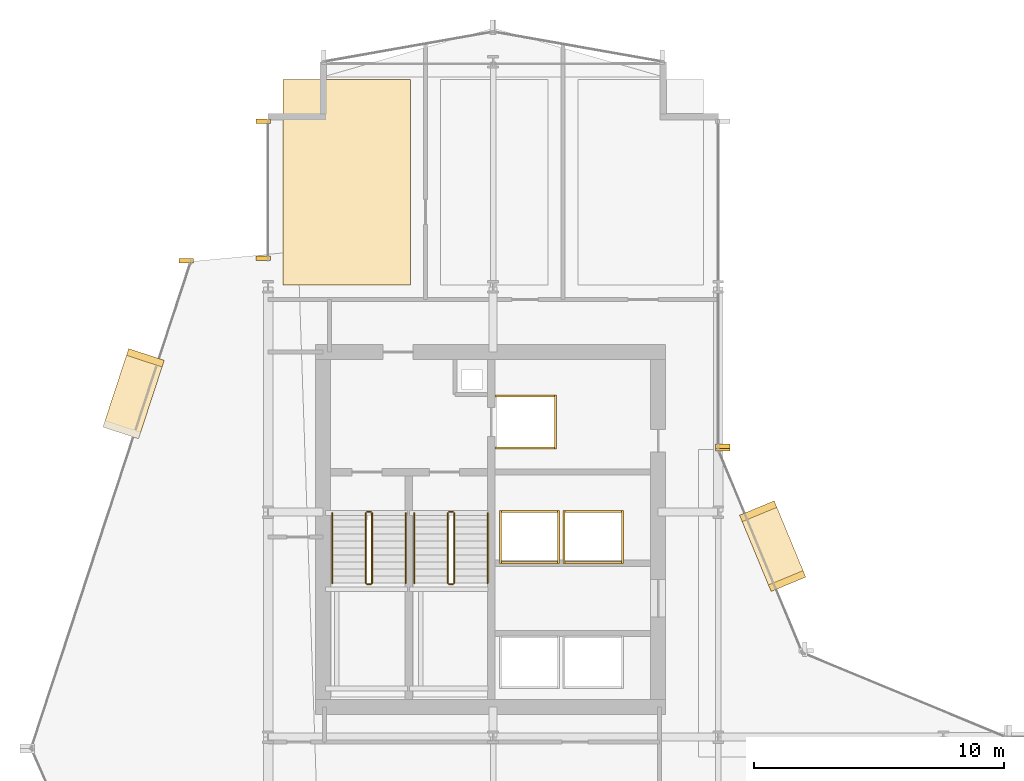
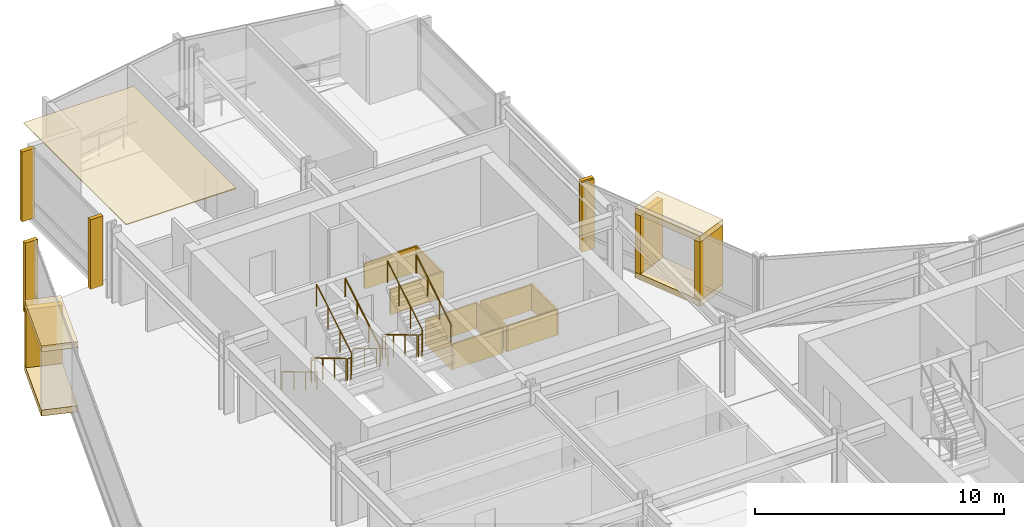
# One storey, part 33 of 34: 24 coverings, 12 railings.
"""IFC4 building model written with IfcOpenShell, lengths in metres."""

from ifc_helpers import new_model, si_unit, direction, frame, origin, origin_2d, place, context, subcontext, project, spatial, polyline, rectangle, circle, outline, extrude, material, layer, layer_set, type_object, element, save


model = new_model("IFC4")

# Units and contexts
model_context = context("Model", 3, precision=1e-05, world=origin(), true_north=direction((0.0, 1.0)))
body_context = subcontext(model_context, "Body", "Model", "MODEL_VIEW")
ifc_project = project(units=[si_unit("LENGTHUNIT", "METRE"), si_unit("AREAUNIT", "SQUARE_METRE"), si_unit("VOLUMEUNIT", "CUBIC_METRE"), si_unit("PLANEANGLEUNIT", "RADIAN"), si_unit("MASSUNIT", "GRAM", prefix="KILO")], contexts=[model_context])

# Site, building, storey
site_placement = place(None, origin())
site = spatial("IfcSite", under=ifc_project, at=site_placement, CompositionType="ELEMENT")
building_placement = place(site_placement, origin())
building = spatial("IfcBuilding", under=site, at=building_placement, Name="Solvaryn Broadcast Tower", CompositionType="ELEMENT")
storey_placement = place(building_placement, frame((0.0, 0.0, 39.699951171875)))
storey = spatial("IfcBuildingStorey", under=building, at=storey_placement, Name="L08", CompositionType="ELEMENT", Elevation=39.699951171875)

# Coverings
ifc_material_1 = material(Name="Micro-Perforated Acoustic Gypsum Ceiling", Category="concrete")
ifc_layer_1 = layer(ifc_material_1, 0.0400390625)
ifc_layer_set_1 = layer_set([ifc_layer_1], Name="CV-CEIL-ACOUSTIC")
covering_type_1 = type_object("IfcCoveringType", Name="CV-CEIL-ACOUSTIC", PredefinedType="CEILING", material=ifc_layer_set_1)
covering_1_placement = place(storey_placement, frame((0.0, 0.0, 3.380126953125)))
element("IfcCovering", 1, at=covering_1_placement, inside=storey, type_object=covering_type_1, Name="L08 Room Acoustic Ceiling 8", PredefinedType="CEILING", context=body_context, shape_type="SweptSolid", body=[
    extrude(outline(polyline([(9.60009765625, 45.070068359375), (14.699951171875, 45.070068359375), (14.699951171875, 53.300048828125), (9.60009765625, 53.300048828125), (9.60009765625, 45.070068359375)])), origin(), (0.0, 0.0, 1.0), 0.0400390625),
])
ifc_material_2 = material(Name="Fire-Rated Gypsum Shaftwall Liner", Category="concrete")
ifc_layer_2 = layer(ifc_material_2, 0.080078125)
ifc_layer_set_2 = layer_set([ifc_layer_2], Name="CV-SHAFT-LINER")
covering_type_2 = type_object("IfcCoveringType", Name="CV-SHAFT-LINER", PredefinedType="CLADDING", material=ifc_layer_set_2)
for number, where, z_axis, x_axis, name in (
    (2, (19.300048828125, 40.639892578125, 0.0), (0.0, 0.0, 1.0), (1.0, 0.0, 0.0), "L08 FL1 Hoistway Shaft Liner North"),
    (3, (19.300048828125, 38.56005859375, 0.0), (0.0, 0.0, 1.0), (1.0, 0.0, 0.0), "L08 FL1 Hoistway Shaft Liner South"),
):
    element("IfcCovering", number, at=place(storey_placement, frame(where, z_axis=z_axis, x_axis=x_axis)), inside=storey, type_object=covering_type_2, Name=name, PredefinedType="CLADDING", context=body_context, shape_type="SweptSolid", body=[
        extrude(rectangle(XDim=2.4599609375, YDim=0.080078125, at=origin_2d()), origin(), (0.0, 0.0, 1.0), 1.25),
    ])
covering_2_placement = place(storey_placement, frame((20.489990234375, 39.60009765625, 0.0), z_axis=(0.0, 0.0, 1.0), x_axis=(1.0, 0.0, 0.0)))
element("IfcCovering", 4, at=covering_2_placement, inside=storey, type_object=covering_type_2, Name="L08 FL1 Hoistway Shaft Liner East", PredefinedType="CLADDING", context=body_context, shape_type="SweptSolid", body=[
    extrude(rectangle(XDim=0.080078125, YDim=2.159912109375, at=origin_2d()), origin(), (0.0, 0.0, 1.0), 1.25),
])
for number, where, z_axis, x_axis, name in (
    (5, (19.449951171875, 36.014892578125, 0.0), (0.0, 0.0, 1.0), (1.0, 0.0, 0.0), "L08 PH3 Hoistway Shaft Liner North"),
    (6, (19.449951171875, 33.985107421875, 0.0), (0.0, 0.0, 1.0), (1.0, 0.0, 0.0), "L08 PH3 Hoistway Shaft Liner South"),
):
    element("IfcCovering", number, at=place(storey_placement, frame(where, z_axis=z_axis, x_axis=x_axis)), inside=storey, type_object=covering_type_2, Name=name, PredefinedType="CLADDING", context=body_context, shape_type="SweptSolid", body=[
        extrude(rectangle(XDim=2.409912109375, YDim=0.080078125, at=origin_2d()), origin(), (0.0, 0.0, 1.0), 1.25),
    ])
for number, where, z_axis, x_axis, name in (
    (7, (20.614990234375, 35.0, 0.0), (0.0, 0.0, 1.0), (1.0, 0.0, 0.0), "L08 PH3 Hoistway Shaft Liner East"),
    (8, (18.284912109375, 35.0, 0.0), (0.0, 0.0, 1.0), (1.0, 0.0, 0.0), "L08 PH3 Hoistway Shaft Liner West"),
):
    element("IfcCovering", number, at=place(storey_placement, frame(where, z_axis=z_axis, x_axis=x_axis)), inside=storey, type_object=covering_type_2, Name=name, PredefinedType="CLADDING", context=body_context, shape_type="SweptSolid", body=[
        extrude(rectangle(XDim=0.080078125, YDim=2.110107421875, at=origin_2d()), origin(), (0.0, 0.0, 1.0), 1.25),
    ])
for number, where, z_axis, x_axis, name in (
    (9, (22.0, 36.014892578125, 0.0), (0.0, 0.0, 1.0), (1.0, 0.0, 0.0), "L08 PH4 Hoistway Shaft Liner North"),
    (10, (22.0, 33.985107421875, 0.0), (0.0, 0.0, 1.0), (1.0, 0.0, 0.0), "L08 PH4 Hoistway Shaft Liner South"),
):
    element("IfcCovering", number, at=place(storey_placement, frame(where, z_axis=z_axis, x_axis=x_axis)), inside=storey, type_object=covering_type_2, Name=name, PredefinedType="CLADDING", context=body_context, shape_type="SweptSolid", body=[
        extrude(rectangle(XDim=2.409912109375, YDim=0.080078125, at=origin_2d()), origin(), (0.0, 0.0, 1.0), 1.25),
    ])
for number, where, z_axis, x_axis, name in (
    (11, (23.1650390625, 35.0, 0.0), (0.0, 0.0, 1.0), (1.0, 0.0, 0.0), "L08 PH4 Hoistway Shaft Liner East"),
    (12, (20.8349609375, 35.0, 0.0), (0.0, 0.0, 1.0), (1.0, 0.0, 0.0), "L08 PH4 Hoistway Shaft Liner West"),
):
    element("IfcCovering", number, at=place(storey_placement, frame(where, z_axis=z_axis, x_axis=x_axis)), inside=storey, type_object=covering_type_2, Name=name, PredefinedType="CLADDING", context=body_context, shape_type="SweptSolid", body=[
        extrude(rectangle(XDim=0.080078125, YDim=2.110107421875, at=origin_2d()), origin(), (0.0, 0.0, 1.0), 1.25),
    ])
ifc_material_3 = material(Name="Glazed Architectural Terracotta Rainscreen Cladding", Category="masonry")
ifc_layer_3 = layer(ifc_material_3, 0.280029296875)
ifc_layer_set_3 = layer_set([ifc_layer_3], Name="CV-TC-CLAD")
covering_type_3 = type_object("IfcCoveringType", Name="CV-TC-CLAD", PredefinedType="CLADDING", material=ifc_layer_set_3)
for number, where, z_axis, x_axis, name in (
    (13, (3.6259765625, 40.73291015625, 3.1298828125), (0.0, 0.0, 1.0), (-0.311671636848, -0.950189870912, 0.0), "L08 Projecting Stone Window Box Hood 1"),
    (14, (3.6259765625, 40.73291015625, -0.009765625), (0.0, 0.0, 1.0), (-0.311671636848, -0.950189870912, 0.0), "L08 Projecting Stone Window Box Sill 1"),
):
    element("IfcCovering", number, at=place(storey_placement, frame(where, z_axis=z_axis, x_axis=x_axis)), inside=storey, type_object=covering_type_3, Name=name, PredefinedType="CLADDING", context=body_context, shape_type="SweptSolid", body=[
        extrude(rectangle(XDim=3.300048828125, YDim=1.5, at=origin_2d()), origin(), (0.0, 0.0, 1.0), 0.300048828125),
    ])
covering_3_placement = place(storey_placement, frame((4.0966796875, 42.167724609375, 0.27978515625), z_axis=(0.0, 0.0, 1.0), x_axis=(-0.311671636848, -0.950189870912, 0.0)))
element("IfcCovering", 15, at=covering_3_placement, inside=storey, type_object=covering_type_3, Name="L08 Projecting Stone Window Box Cheek 1-1", PredefinedType="CLADDING", context=body_context, shape_type="SweptSolid", body=[
    extrude(rectangle(XDim=0.280029296875, YDim=1.5, at=origin_2d()), origin(), (0.0, 0.0, 1.0), 2.860107421875),
])
for number, where, z_axis, x_axis, name in (
    (16, (29.174072265625, 34.636962890625, 3.1298828125), (0.0, 0.0, 1.0), (-0.382683432365, 0.923879532511, 0.0), "L08 Projecting Stone Window Box Hood 5"),
    (17, (29.174072265625, 34.636962890625, -0.009765625), (0.0, 0.0, 1.0), (-0.382683432365, 0.923879532511, 0.0), "L08 Projecting Stone Window Box Sill 5"),
):
    element("IfcCovering", number, at=place(storey_placement, frame(where, z_axis=z_axis, x_axis=x_axis)), inside=storey, type_object=covering_type_3, Name=name, PredefinedType="CLADDING", context=body_context, shape_type="SweptSolid", body=[
        extrude(rectangle(XDim=3.300048828125, YDim=1.5, at=origin_2d()), origin(), (0.0, 0.0, 1.0), 0.300048828125),
    ])
for number, where, z_axis, x_axis, name in (
    (18, (29.751953125, 33.241943359375, 0.27978515625), (0.0, 0.0, 1.0), (-0.382683432365, 0.923879532511, 0.0), "L08 Projecting Stone Window Box Cheek 5-1"),
    (19, (28.59619140625, 36.031982421875, 0.27978515625), (0.0, 0.0, 1.0), (-0.382683432365, 0.923879532511, 0.0), "L08 Projecting Stone Window Box Cheek 5-2"),
):
    element("IfcCovering", number, at=place(storey_placement, frame(where, z_axis=z_axis, x_axis=x_axis)), inside=storey, type_object=covering_type_3, Name=name, PredefinedType="CLADDING", context=body_context, shape_type="SweptSolid", body=[
        extrude(rectangle(XDim=0.280029296875, YDim=1.5, at=origin_2d()), origin(), (0.0, 0.0, 1.0), 2.860107421875),
    ])
ifc_material_4 = material(Name="Extruded Architectural Terracotta Fin", Category="masonry")
ifc_layer_4 = layer(ifc_material_4, 0.179931640625)
ifc_layer_set_4 = layer_set([ifc_layer_4], Name="CV-TC-FIN")
covering_type_4 = type_object("IfcCoveringType", Name="CV-TC-FIN", PredefinedType="USERDEFINED", material=ifc_layer_set_4)
for number, where, z_axis, x_axis, name in (
    (20, (5.735595703125, 46.043701171875, 0.0), (0.0, 0.0, 1.0), (1.0, 0.0, 0.0), "L08 Terracotta Vertical Fin FIN-L08-DR1-M00"),
    (21, (8.8125, 46.14599609375, 0.0), (0.0, 0.0, 1.0), (1.0, 0.0, 0.0), "L08 Terracotta Vertical Fin FIN-L08-W2-M00"),
    (22, (8.8125, 51.6201171875, 0.0), (0.0, 0.0, 1.0), (1.0, 0.0, 0.0), "L08 Terracotta Vertical Fin FIN-L08-W2-M01"),
    (23, (27.1875, 38.6298828125, 0.0), (0.0, 0.0, 1.0), (1.0, 0.0, 0.0), "L08 Terracotta Vertical Fin FIN-L08-IV-M01"),
    (24, (27.177978515625, 38.541259765625, 0.0), (0.0, 0.0, 1.0), (1.0, 0.0, 0.0), "L08 Terracotta Vertical Fin FIN-L08-CN2-M01"),
):
    element("IfcCovering", number, at=place(storey_placement, frame(where, z_axis=z_axis, x_axis=x_axis)), inside=storey, type_object=covering_type_4, Name=name, ObjectType="FIN", PredefinedType="USERDEFINED", context=body_context, shape_type="SweptSolid", body=[
        extrude(rectangle(XDim=0.580078125, YDim=0.179931640625, at=origin_2d()), origin(), (0.0, 0.0, 1.0), 3.419921875),
    ])

# Railings
ifc_material_5 = material(Name="Painted Steel Stair Well Guard", Category="steel")
railing_type_1 = type_object("IfcRailingType", Name="RL-STAIR-GUARD", PredefinedType="BALUSTRADE", material=ifc_material_5)
railing_1_placement = place(storey_placement, frame((12.909912109375, 35.9599609375, 0.168212890625)))
element("IfcRailing", 25, at=railing_1_placement, inside=storey, type_object=railing_type_1, Name="L08 ST1 stair guard 1", PredefinedType="BALUSTRADE", context=body_context, shape_type="SweptSolid", body=[
    extrude(circle(Radius=0.02392578125, at=origin_2d()), frame((0.0, 0.0, 1.076171875), z_axis=(0.0, -0.857242210791, 0.514913383045), x_axis=(1.0, 0.0, 0.0)), (0.0, 0.0, 1.0), 3.266357421875),
    extrude(circle(Radius=0.02099609375, at=origin_2d()), origin(), (0.0, 0.0, 1.0), 1.052001953125),
    extrude(circle(Radius=0.02099609375, at=origin_2d()), frame((0.0, -0.933349609375, 0.560546875)), (0.0, 0.0, 1.0), 1.052001953125),
    extrude(circle(Radius=0.02099609375, at=origin_2d()), frame((0.0, -1.86669921875, 1.121337890625)), (0.0, 0.0, 1.0), 1.052001953125),
    extrude(circle(Radius=0.02099609375, at=origin_2d()), frame((0.0, -2.800048828125, 1.681884765625)), (0.0, 0.0, 1.0), 1.052001953125),
])
railing_2_placement = place(storey_placement, frame((12.9599609375, 33.110107421875, 1.85009765625)))
element("IfcRailing", 26, at=railing_2_placement, inside=storey, type_object=railing_type_1, Name="L08 ST1 stair guard 2", PredefinedType="BALUSTRADE", context=body_context, shape_type="SweptSolid", body=[
    extrude(circle(Radius=0.02392578125, at=origin_2d()), frame((0.0, 0.0, 1.076171875), z_axis=(1.0, 0.0, 0.0), x_axis=(0.0, 1.0, 0.0)), (0.0, 0.0, 1.0), 0.150146484375),
    extrude(circle(Radius=0.02099609375, at=origin_2d()), origin(), (0.0, 0.0, 1.0), 1.052001953125),
    extrude(circle(Radius=0.02099609375, at=origin_2d()), frame((0.150146484375, 0.0, 0.0)), (0.0, 0.0, 1.0), 1.052001953125),
])
railing_3_placement = place(storey_placement, frame((13.159912109375, 33.159912109375, 2.018310546875)))
element("IfcRailing", 27, at=railing_3_placement, inside=storey, type_object=railing_type_1, Name="L08 ST1 stair guard 3", PredefinedType="BALUSTRADE", context=body_context, shape_type="SweptSolid", body=[
    extrude(circle(Radius=0.02392578125, at=origin_2d()), frame((0.0, 0.0, 1.076171875), z_axis=(0.0, 0.857275202839, 0.514858452973), x_axis=(-1.0, 0.0, 0.0)), (0.0, 0.0, 1.0), 3.26611328125),
    extrude(circle(Radius=0.02099609375, at=origin_2d()), origin(), (0.0, 0.0, 1.0), 1.052001953125),
    extrude(circle(Radius=0.02099609375, at=origin_2d()), frame((0.0, 0.933349609375, 0.560546875)), (0.0, 0.0, 1.0), 1.052001953125),
    extrude(circle(Radius=0.02099609375, at=origin_2d()), frame((0.0, 1.86669921875, 1.12109375)), (0.0, 0.0, 1.0), 1.052001953125),
    extrude(circle(Radius=0.02099609375, at=origin_2d()), frame((0.0, 2.800048828125, 1.681640625)), (0.0, 0.0, 1.0), 1.052001953125),
])
railing_4_placement = place(storey_placement, frame((12.9599609375, 36.010009765625, 0.0)))
element("IfcRailing", 28, at=railing_4_placement, inside=storey, type_object=railing_type_1, Name="L08 ST1 stair guard 4", PredefinedType="BALUSTRADE", context=body_context, shape_type="SweptSolid", body=[
    extrude(circle(Radius=0.02392578125, at=origin_2d()), frame((0.0, 0.0, 1.076171875), z_axis=(1.0, 0.0, 0.0), x_axis=(0.0, 1.0, 0.0)), (0.0, 0.0, 1.0), 0.150146484375),
    extrude(circle(Radius=0.02099609375, at=origin_2d()), origin(), (0.0, 0.0, 1.0), 1.052001953125),
    extrude(circle(Radius=0.02099609375, at=origin_2d()), frame((0.150146484375, 0.0, 0.0)), (0.0, 0.0, 1.0), 1.052001953125),
])
railing_5_placement = place(storey_placement, frame((16.18994140625, 35.9599609375, 0.168212890625)))
element("IfcRailing", 29, at=railing_5_placement, inside=storey, type_object=railing_type_1, Name="L08 ST2 stair guard 1", PredefinedType="BALUSTRADE", context=body_context, shape_type="SweptSolid", body=[
    extrude(circle(Radius=0.02392578125, at=origin_2d()), frame((0.0, 0.0, 1.076171875), z_axis=(0.0, -0.857242210791, 0.514913383045), x_axis=(1.0, 0.0, 0.0)), (0.0, 0.0, 1.0), 3.266357421875),
    extrude(circle(Radius=0.02099609375, at=origin_2d()), origin(), (0.0, 0.0, 1.0), 1.052001953125),
    extrude(circle(Radius=0.02099609375, at=origin_2d()), frame((0.0, -0.933349609375, 0.560546875)), (0.0, 0.0, 1.0), 1.052001953125),
    extrude(circle(Radius=0.02099609375, at=origin_2d()), frame((0.0, -1.86669921875, 1.121337890625)), (0.0, 0.0, 1.0), 1.052001953125),
    extrude(circle(Radius=0.02099609375, at=origin_2d()), frame((0.0, -2.800048828125, 1.681884765625)), (0.0, 0.0, 1.0), 1.052001953125),
])
railing_6_placement = place(storey_placement, frame((16.239990234375, 33.110107421875, 1.85009765625)))
element("IfcRailing", 30, at=railing_6_placement, inside=storey, type_object=railing_type_1, Name="L08 ST2 stair guard 2", PredefinedType="BALUSTRADE", context=body_context, shape_type="SweptSolid", body=[
    extrude(circle(Radius=0.02392578125, at=origin_2d()), frame((0.0, 0.0, 1.076171875), z_axis=(1.0, 0.0, 0.0), x_axis=(0.0, 1.0, 0.0)), (0.0, 0.0, 1.0), 0.14990234375),
    extrude(circle(Radius=0.02099609375, at=origin_2d()), origin(), (0.0, 0.0, 1.0), 1.052001953125),
    extrude(circle(Radius=0.02099609375, at=origin_2d()), frame((0.14990234375, 0.0, 0.0)), (0.0, 0.0, 1.0), 1.052001953125),
])
railing_7_placement = place(storey_placement, frame((16.43994140625, 33.159912109375, 2.018310546875)))
element("IfcRailing", 31, at=railing_7_placement, inside=storey, type_object=railing_type_1, Name="L08 ST2 stair guard 3", PredefinedType="BALUSTRADE", context=body_context, shape_type="SweptSolid", body=[
    extrude(circle(Radius=0.02392578125, at=origin_2d()), frame((0.0, 0.0, 1.076171875), z_axis=(0.0, 0.857275202839, 0.514858452973), x_axis=(-1.0, 0.0, 0.0)), (0.0, 0.0, 1.0), 3.26611328125),
    extrude(circle(Radius=0.02099609375, at=origin_2d()), origin(), (0.0, 0.0, 1.0), 1.052001953125),
    extrude(circle(Radius=0.02099609375, at=origin_2d()), frame((0.0, 0.933349609375, 0.560546875)), (0.0, 0.0, 1.0), 1.052001953125),
    extrude(circle(Radius=0.02099609375, at=origin_2d()), frame((0.0, 1.86669921875, 1.12109375)), (0.0, 0.0, 1.0), 1.052001953125),
    extrude(circle(Radius=0.02099609375, at=origin_2d()), frame((0.0, 2.800048828125, 1.681640625)), (0.0, 0.0, 1.0), 1.052001953125),
])
railing_8_placement = place(storey_placement, frame((16.239990234375, 36.010009765625, 0.0)))
element("IfcRailing", 32, at=railing_8_placement, inside=storey, type_object=railing_type_1, Name="L08 ST2 stair guard 4", PredefinedType="BALUSTRADE", context=body_context, shape_type="SweptSolid", body=[
    extrude(circle(Radius=0.02392578125, at=origin_2d()), frame((0.0, 0.0, 1.076171875), z_axis=(1.0, 0.0, 0.0), x_axis=(0.0, 1.0, 0.0)), (0.0, 0.0, 1.0), 0.14990234375),
    extrude(circle(Radius=0.02099609375, at=origin_2d()), origin(), (0.0, 0.0, 1.0), 1.052001953125),
    extrude(circle(Radius=0.02099609375, at=origin_2d()), frame((0.14990234375, 0.0, 0.0)), (0.0, 0.0, 1.0), 1.052001953125),
])
ifc_material_6 = material(Name="Brushed Stainless Steel Tubular Handrail", Category="steel")
railing_type_2 = type_object("IfcRailingType", Name="RL-STAIR-HANDRAIL", PredefinedType="HANDRAIL", material=ifc_material_6)
railing_9_placement = place(storey_placement, frame((11.570068359375, 35.9599609375, 0.168212890625)))
element("IfcRailing", 33, at=railing_9_placement, inside=storey, type_object=railing_type_2, Name="L08 ST1 stair handrail 1", PredefinedType="HANDRAIL", context=body_context, shape_type="SweptSolid", body=[
    extrude(circle(Radius=0.02392578125, at=origin_2d()), frame((0.0, 0.0, 0.8759765625), z_axis=(0.0, -0.857242210791, 0.514913383045), x_axis=(1.0, 0.0, 0.0)), (0.0, 0.0, 1.0), 3.266357421875),
    extrude(circle(Radius=0.02099609375, at=origin_2d()), origin(), (0.0, 0.0, 1.0), 0.851806640625),
    extrude(circle(Radius=0.02099609375, at=origin_2d()), frame((0.0, -0.933349609375, 0.560546875)), (0.0, 0.0, 1.0), 0.851806640625),
    extrude(circle(Radius=0.02099609375, at=origin_2d()), frame((0.0, -1.86669921875, 1.121337890625)), (0.0, 0.0, 1.0), 0.851806640625),
    extrude(circle(Radius=0.02099609375, at=origin_2d()), frame((0.0, -2.800048828125, 1.681884765625)), (0.0, 0.0, 1.0), 0.851806640625),
])
railing_10_placement = place(storey_placement, frame((14.5, 33.159912109375, 2.018310546875)))
element("IfcRailing", 34, at=railing_10_placement, inside=storey, type_object=railing_type_2, Name="L08 ST1 stair handrail 2", PredefinedType="HANDRAIL", context=body_context, shape_type="SweptSolid", body=[
    extrude(circle(Radius=0.02392578125, at=origin_2d()), frame((0.0, 0.0, 0.8759765625), z_axis=(0.0, 0.857275202839, 0.514858452973), x_axis=(-1.0, 0.0, 0.0)), (0.0, 0.0, 1.0), 3.26611328125),
    extrude(circle(Radius=0.02099609375, at=origin_2d()), origin(), (0.0, 0.0, 1.0), 0.851806640625),
    extrude(circle(Radius=0.02099609375, at=origin_2d()), frame((0.0, 0.933349609375, 0.560546875)), (0.0, 0.0, 1.0), 0.851806640625),
    extrude(circle(Radius=0.02099609375, at=origin_2d()), frame((0.0, 1.86669921875, 1.12109375)), (0.0, 0.0, 1.0), 0.851806640625),
    extrude(circle(Radius=0.02099609375, at=origin_2d()), frame((0.0, 2.800048828125, 1.681640625)), (0.0, 0.0, 1.0), 0.851806640625),
])
railing_11_placement = place(storey_placement, frame((14.85009765625, 35.9599609375, 0.168212890625)))
element("IfcRailing", 35, at=railing_11_placement, inside=storey, type_object=railing_type_2, Name="L08 ST2 stair handrail 1", PredefinedType="HANDRAIL", context=body_context, shape_type="SweptSolid", body=[
    extrude(circle(Radius=0.02392578125, at=origin_2d()), frame((0.0, 0.0, 0.8759765625), z_axis=(0.0, -0.857242210791, 0.514913383045), x_axis=(1.0, 0.0, 0.0)), (0.0, 0.0, 1.0), 3.266357421875),
    extrude(circle(Radius=0.02099609375, at=origin_2d()), origin(), (0.0, 0.0, 1.0), 0.851806640625),
    extrude(circle(Radius=0.02099609375, at=origin_2d()), frame((0.0, -0.933349609375, 0.560546875)), (0.0, 0.0, 1.0), 0.851806640625),
    extrude(circle(Radius=0.02099609375, at=origin_2d()), frame((0.0, -1.86669921875, 1.121337890625)), (0.0, 0.0, 1.0), 0.851806640625),
    extrude(circle(Radius=0.02099609375, at=origin_2d()), frame((0.0, -2.800048828125, 1.681884765625)), (0.0, 0.0, 1.0), 0.851806640625),
])
railing_12_placement = place(storey_placement, frame((17.780029296875, 33.159912109375, 2.018310546875)))
element("IfcRailing", 36, at=railing_12_placement, inside=storey, type_object=railing_type_2, Name="L08 ST2 stair handrail 2", PredefinedType="HANDRAIL", context=body_context, shape_type="SweptSolid", body=[
    extrude(circle(Radius=0.02392578125, at=origin_2d()), frame((0.0, 0.0, 0.8759765625), z_axis=(0.0, 0.857275202839, 0.514858452973), x_axis=(-1.0, 0.0, 0.0)), (0.0, 0.0, 1.0), 3.26611328125),
    extrude(circle(Radius=0.02099609375, at=origin_2d()), origin(), (0.0, 0.0, 1.0), 0.851806640625),
    extrude(circle(Radius=0.02099609375, at=origin_2d()), frame((0.0, 0.933349609375, 0.560546875)), (0.0, 0.0, 1.0), 0.851806640625),
    extrude(circle(Radius=0.02099609375, at=origin_2d()), frame((0.0, 1.86669921875, 1.12109375)), (0.0, 0.0, 1.0), 0.851806640625),
    extrude(circle(Radius=0.02099609375, at=origin_2d()), frame((0.0, 2.800048828125, 1.681640625)), (0.0, 0.0, 1.0), 0.851806640625),
])

save(model, "model.ifc")
